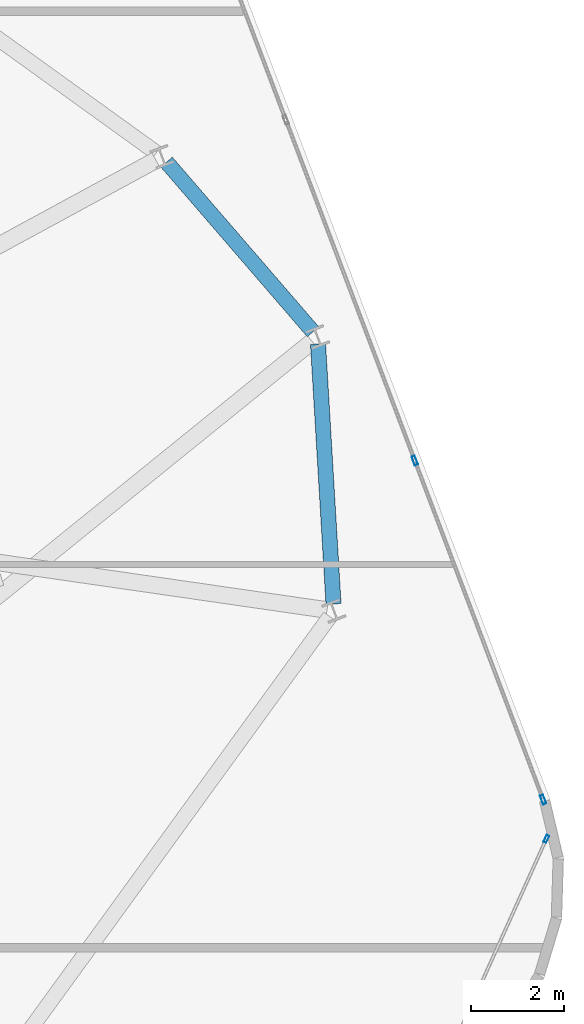
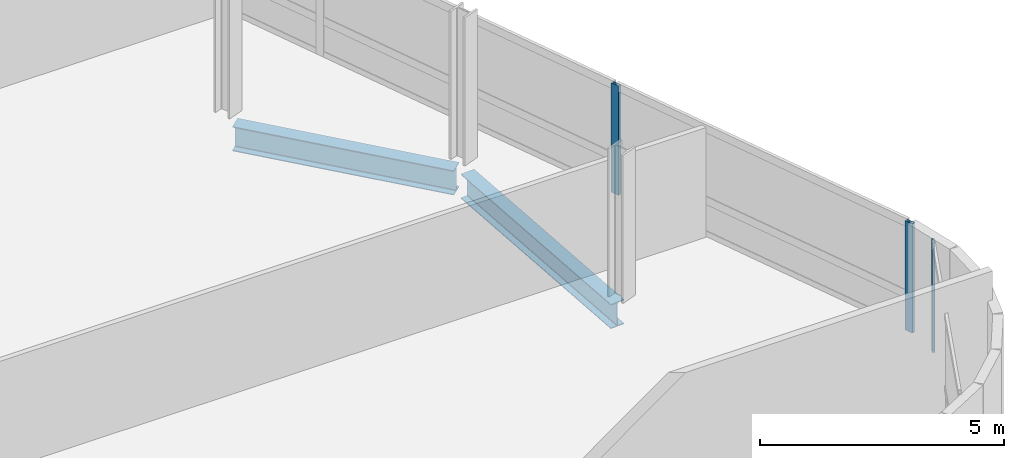
# One storey, part 15 of 23: 3 members, 2 beams, 2 elements without a shape of their own.
"""IFC4 building model written with IfcOpenShell, lengths in metres."""

from ifc_helpers import new_model, si_unit, direction, frame, origin, origin_2d, place, context, subcontext, project, spatial, hollow_rectangle, i_section, extrude, material, layer, layer_set, material_profile, profile_set, type_object, element, aggregate, save


model = new_model("IFC4")

# Units and contexts
model_context = context("Model", 3, precision=1e-05, world=origin(), true_north=direction((0.0, 1.0)))
body_context = subcontext(model_context, "Body", "Model", "MODEL_VIEW")
ifc_project = project(units=[si_unit("LENGTHUNIT", "METRE"), si_unit("AREAUNIT", "SQUARE_METRE"), si_unit("VOLUMEUNIT", "CUBIC_METRE"), si_unit("PLANEANGLEUNIT", "RADIAN"), si_unit("MASSUNIT", "GRAM", prefix="KILO")], contexts=[model_context])

# Site, building, storey
site_placement = place(None, origin())
site = spatial("IfcSite", under=ifc_project, at=site_placement, CompositionType="ELEMENT")
building_placement = place(site_placement, origin())
building = spatial("IfcBuilding", under=site, at=building_placement, Name="Varnelok Gate Tower", CompositionType="ELEMENT")
storey_placement = place(building_placement, frame((0.0, 0.0, 227.5)))
storey = spatial("IfcBuildingStorey", under=building, at=storey_placement, Name="L58", CompositionType="ELEMENT", Elevation=227.5)

# Beams
ifc_material_1 = material(Name="Structural Steel ASTM A992 Grade 50", Category="steel")
ifc_material_profile_1 = material_profile(ifc_material_1, i_section(OverallWidth=0.323974609375, OverallDepth=0.611083984375, WebThickness=0.0126953125, FlangeThickness=0.01904296875, FilletRadius=0.01806640625, at=origin_2d()), Name="W24X104")
ifc_profile_set_1 = profile_set([ifc_material_profile_1], Name="Structural Steel ASTM A992 Grade 50")
beam_type = type_object("IfcBeamType", Name="BM-SPN-W24X104", PredefinedType="SPANDREL", material=ifc_profile_set_1)
beam_1_placement = place(storey_placement, frame((71.046142578125, 26.60302734375, -0.555419921875), z_axis=(-0.059494461707, 0.998228635647, 0.0), x_axis=(-0.998228635647, -0.059494461707, 0.0)))
element("IfcBeam", 1, at=beam_1_placement, inside=storey, type_object=beam_type, Name="L58 Perimeter Spandrel Beam 6", PredefinedType="SPANDREL", context=body_context, shape_type="SweptSolid", body=[
    extrude(i_section(OverallWidth=0.323974609375, OverallDepth=0.611083984375, WebThickness=0.0126953125, FlangeThickness=0.01904296875, FilletRadius=0.01806640625, at=origin_2d()), origin(), (0.0, 0.0, 1.0), 5.57666015625),
])
beam_2_placement = place(storey_placement, frame((70.607421875, 32.43310546875, -0.555419921875), z_axis=(-0.653480804386, 0.756943087886, 0.0), x_axis=(-0.756943087886, -0.653480804386, 0.0)))
element("IfcBeam", 2, at=beam_2_placement, inside=storey, type_object=beam_type, Name="L58 Perimeter Spandrel Beam 7", PredefinedType="SPANDREL", context=body_context, shape_type="SweptSolid", body=[
    extrude(i_section(OverallWidth=0.323974609375, OverallDepth=0.611083984375, WebThickness=0.0126953125, FlangeThickness=0.01904296875, FilletRadius=0.01806640625, at=origin_2d()), origin(), (0.0, 0.0, 1.0), 4.799560546875),
])

# Curtain wall, member
ifc_material_2 = material(Name="Anodized Aluminum Alloy 6063-T6", Category="aluminium")
ifc_layer_1 = layer(ifc_material_2, 0.179931640625)
ifc_layer_set_1 = layer_set([ifc_layer_1], Name="Anodized Aluminum Alloy 6063-T6")
curtain_wall_type_1 = type_object("IfcCurtainWallType", Name="CW5-WINDCORNER-GLAZ", PredefinedType="USERDEFINED", material=ifc_layer_set_1)
curtain_wall_1_placement = place(storey_placement, origin())
curtain_wall_1 = element("IfcCurtainWall", 3, at=curtain_wall_1_placement, inside=storey, type_object=curtain_wall_type_1, Name="L58 Wind-Shaped Corner Curtain Wall SE", ObjectType="STRUCTURAL GLAZING", PredefinedType="USERDEFINED")
ifc_material_profile_2 = material_profile(ifc_material_2, hollow_rectangle(XDim=0.06494140625, YDim=0.159912109375, WallThickness=0.00390625, at=origin_2d()), Name="ALU160X65X4")
ifc_profile_set_2 = profile_set([ifc_material_profile_2], Name="Anodized Aluminum Alloy 6063-T6")
member_type_1 = type_object("IfcMemberType", Name="CW-MULL-160", PredefinedType="MULLION", material=ifc_profile_set_2)
member_1_placement = place(storey_placement, frame((75.60400390625, 21.574951171875, 0.0), z_axis=(0.0, 0.0, 1.0), x_axis=(-0.911662816164, 0.410939058285, 0.0)))
member_1 = element("IfcMember", 4, at=member_1_placement, type_object=member_type_1, Name="CW5 mullion 2", PredefinedType="MULLION", context=body_context, shape_type="SweptSolid", body=[
    extrude(hollow_rectangle(XDim=0.06494140625, YDim=0.159912109375, WallThickness=0.00390625, at=origin_2d()), origin(), (0.0, 0.0, 1.0), 2.72998046875),
])
aggregate(curtain_wall_1, [member_1])

# Curtain wall, members
ifc_layer_2 = layer(ifc_material_2, 0.179931640625)
ifc_layer_set_2 = layer_set([ifc_layer_2], Name="Anodized Aluminum Alloy 6063-T6")
curtain_wall_type_2 = type_object("IfcCurtainWallType", Name="CW4-RESIDENCE-VISION", PredefinedType="USERDEFINED", material=ifc_layer_set_2)
curtain_wall_2_placement = place(storey_placement, origin())
curtain_wall_2 = element("IfcCurtainWall", 5, at=curtain_wall_2_placement, inside=storey, type_object=curtain_wall_type_2, Name="L58 East End Vision Curtain Wall", ObjectType="UNITISED CURTAIN WALL", PredefinedType="USERDEFINED")
ifc_material_profile_3 = material_profile(ifc_material_2, hollow_rectangle(XDim=0.074951171875, YDim=0.199951171875, WallThickness=0.00390625, at=origin_2d()), Name="ALU200X75X4")
ifc_profile_set_3 = profile_set([ifc_material_profile_3], Name="Anodized Aluminum Alloy 6063-T6")
member_type_2 = type_object("IfcMemberType", Name="CW-MULL-200", PredefinedType="MULLION", material=ifc_profile_set_3)
member_2_placement = place(storey_placement, frame((72.78662109375, 29.675048828125, 0.0), z_axis=(0.0, 0.0, 1.0), x_axis=(0.935221557832, 0.354063042079, 0.0)))
member_2 = element("IfcMember", 6, at=member_2_placement, type_object=member_type_2, Name="CW4 mullion 4", PredefinedType="MULLION", context=body_context, shape_type="SweptSolid", body=[
    extrude(hollow_rectangle(XDim=0.074951171875, YDim=0.199951171875, WallThickness=0.00390625, at=origin_2d()), origin(), (0.0, 0.0, 1.0), 2.72998046875),
])
member_3_placement = place(storey_placement, frame((75.534912109375, 22.41552734375, 0.0), z_axis=(0.0, 0.0, 1.0), x_axis=(0.935221557832, 0.354063042079, 0.0)))
member_3 = element("IfcMember", 7, at=member_3_placement, type_object=member_type_2, Name="CW4 mullion 5", PredefinedType="MULLION", context=body_context, shape_type="SweptSolid", body=[
    extrude(hollow_rectangle(XDim=0.074951171875, YDim=0.199951171875, WallThickness=0.00390625, at=origin_2d()), origin(), (0.0, 0.0, 1.0), 2.72998046875),
])
aggregate(curtain_wall_2, [member_2, member_3])

save(model, "model.ifc")
